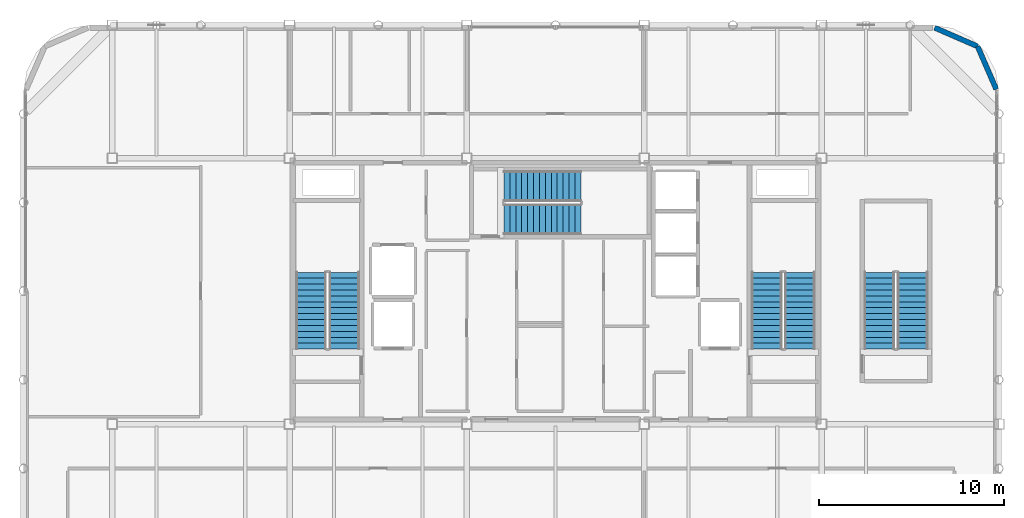
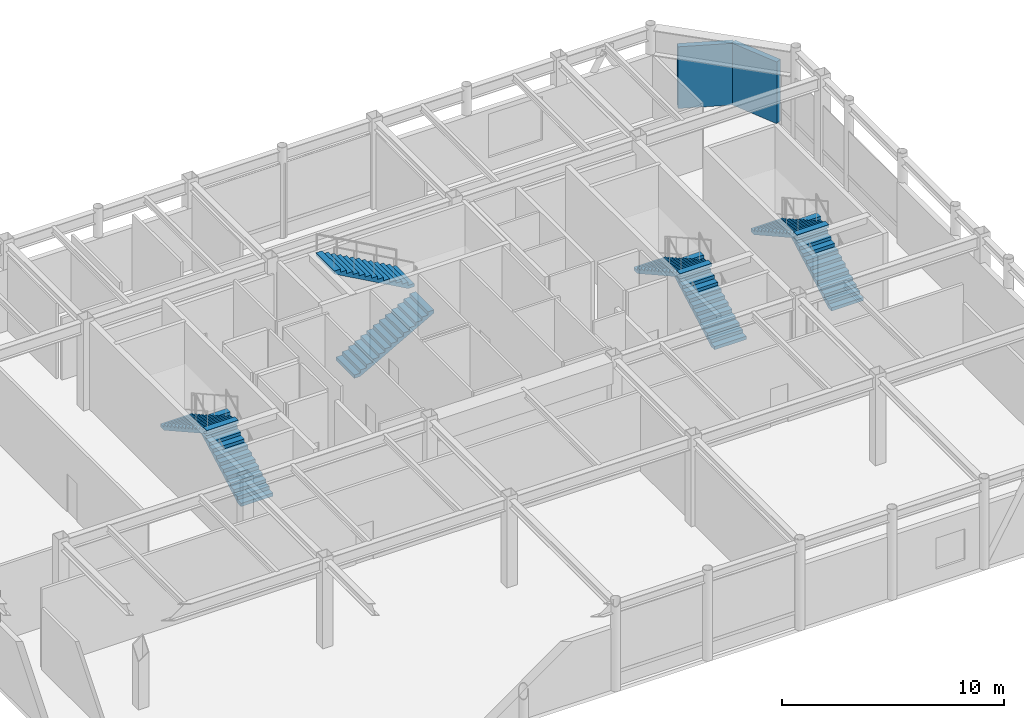
# One storey, part 19 of 21: 8 stair flights, 2 walls, 4 elements without a shape of their own.
"""IFC4 building model written with IfcOpenShell, lengths in metres."""

from ifc_helpers import new_model, si_unit, direction, frame, frame_2d, origin, place, context, subcontext, project, spatial, polyline, rectangle, outline, extrude, material, layer, layer_set, type_object, element, aggregate, save


model = new_model("IFC4")

# Units and contexts
model_context = context("Model", 3, precision=1e-05, world=origin(), true_north=direction((0.0, 1.0)))
body_context = subcontext(model_context, "Body", "Model", "MODEL_VIEW")
ifc_project = project(units=[si_unit("LENGTHUNIT", "METRE"), si_unit("AREAUNIT", "SQUARE_METRE"), si_unit("VOLUMEUNIT", "CUBIC_METRE"), si_unit("PLANEANGLEUNIT", "RADIAN"), si_unit("MASSUNIT", "GRAM", prefix="KILO")], contexts=[model_context])

# Site, building, storey
site_placement = place(None, origin())
site = spatial("IfcSite", under=ifc_project, at=site_placement, CompositionType="ELEMENT")
building_placement = place(site_placement, origin())
building = spatial("IfcBuilding", under=site, at=building_placement, Name="Kallvorn Hotel Tower", CompositionType="ELEMENT")
storey_placement = place(building_placement, frame((0.0, 0.0, 295.60009765625)))
storey = spatial("IfcBuildingStorey", under=building, at=storey_placement, Name="L73", CompositionType="ELEMENT", Elevation=295.60009765625)

# Walls
ifc_material_1 = material(Name="Precast basalt-clad insulated concrete wall C40/50", Category="masonry")
ifc_layer = layer(ifc_material_1, 0.280029296875)
ifc_layer_set = layer_set([ifc_layer], Name="WL_EXT_LOGGIA_280")
wall_type = type_object("IfcWallType", Name="WL_EXT_LOGGIA_280", PredefinedType="SOLIDWALL", material=ifc_layer_set)
for number, where, z_axis, x_axis, name in (
    (1, (23.85791015625, 10.9208984375, 0.0), (0.0, 0.0, 1.0), (-0.398747232384, 0.917060872934, 0.0), "L73 Rounded Corner Exterior Wall NE1"),
    (2, (22.8466796875, 13.24658203125, 0.0), (0.0, 0.0, 1.0), (-0.917076177656, 0.398712031894, 0.0), "L73 Rounded Corner Exterior Wall NE2"),
):
    element("IfcWall", number, at=place(storey_placement, frame(where, z_axis=z_axis, x_axis=x_axis)), inside=storey, type_object=wall_type, Name=name, PredefinedType="SOLIDWALL", context=body_context, shape_type="SweptSolid", body=[
        extrude(rectangle(XDim=2.5361328125, YDim=0.280029296875, at=frame_2d((1.26806640625, 0.0))), origin(), (0.0, 0.0, 1.0), 3.39990234375),
    ])

# Stair, stair flights
ifc_material_2 = material(Name="Precast concrete C40/50", Category="concrete")
stair_type = type_object("IfcStairType", Name="STR_CORE_DOGLEG", PredefinedType="HALF_TURN_STAIR", material=ifc_material_2)
stair_1_placement = place(storey_placement, origin())
stair_1 = element("IfcStair", 3, at=stair_1_placement, inside=storey, type_object=stair_type, Name="L73 Exit stair ST1", PredefinedType="HALF_TURN_STAIR")
ifc_material_3 = material(Name="Precast concrete C40/50", Category="concrete")
stair_flight_type = type_object("IfcStairFlightType", Name="FLT_CORE_1660", PredefinedType="STRAIGHT", material=ifc_material_3)
stair_flight_1_placement = place(storey_placement, frame((-11.429931640625, -3.139892578125, 0.0), z_axis=(0.0, 0.0, 1.0), x_axis=(0.0, 1.0, 0.0)))
stair_flight_1 = element("IfcStairFlight", 4, at=stair_flight_1_placement, type_object=stair_flight_type, Name="ST1 flight 1", NumberOfRisers=14, NumberOfTreads=13, PredefinedType="STRAIGHT", RiserHeight=0.178571429, TreadLength=0.32, context=body_context, shape_type="SweptSolid", body=[
    extrude(outline(polyline([(0.0, 0.0), (0.0, 0.178466796875), (0.320068359375, 0.178466796875), (0.320068359375, 0.357177734375), (0.639892578125, 0.357177734375), (0.639892578125, 0.53564453125), (0.9599609375, 0.53564453125), (0.9599609375, 0.71435546875), (1.280029296875, 0.71435546875), (1.280029296875, 0.892822265625), (1.60009765625, 0.892822265625), (1.60009765625, 1.071533203125), (1.919921875, 1.071533203125), (1.919921875, 1.25), (2.239990234375, 1.25), (2.239990234375, 1.428466796875), (2.56005859375, 1.428466796875), (2.56005859375, 1.607177734375), (2.8798828125, 1.607177734375), (2.8798828125, 1.78564453125), (3.199951171875, 1.78564453125), (3.199951171875, 1.96435546875), (3.52001953125, 1.96435546875), (3.52001953125, 2.142822265625), (3.840087890625, 2.142822265625), (3.840087890625, 2.321533203125), (4.159912109375, 2.321533203125), (4.159912109375, 2.5), (4.159912109375, 2.149658203125), (0.3076171875, 0.0), (0.0, 0.0)])), frame((0.0, 0.830078125, 0.0), z_axis=(0.0, -1.0, 0.0), x_axis=(1.0, 0.0, 0.0)), (0.0, 0.0, 1.0), 1.659912109375),
])
stair_flight_2_placement = place(storey_placement, frame((-13.22998046875, 1.02001953125, 2.5), z_axis=(0.0, 0.0, 1.0), x_axis=(0.0, -1.0, 0.0)))
stair_flight_2 = element("IfcStairFlight", 5, at=stair_flight_2_placement, type_object=stair_flight_type, Name="ST1 flight 2", NumberOfRisers=14, NumberOfTreads=13, PredefinedType="STRAIGHT", RiserHeight=0.178571429, TreadLength=0.32, context=body_context, shape_type="SweptSolid", body=[
    extrude(outline(polyline([(0.0, 0.0), (0.0, 0.178466796875), (0.320068359375, 0.178466796875), (0.320068359375, 0.357177734375), (0.639892578125, 0.357177734375), (0.639892578125, 0.53564453125), (0.9599609375, 0.53564453125), (0.9599609375, 0.71435546875), (1.280029296875, 0.71435546875), (1.280029296875, 0.892822265625), (1.60009765625, 0.892822265625), (1.60009765625, 1.071533203125), (1.919921875, 1.071533203125), (1.919921875, 1.25), (2.239990234375, 1.25), (2.239990234375, 1.428466796875), (2.56005859375, 1.428466796875), (2.56005859375, 1.607177734375), (2.8798828125, 1.607177734375), (2.8798828125, 1.78564453125), (3.199951171875, 1.78564453125), (3.199951171875, 1.96435546875), (3.52001953125, 1.96435546875), (3.52001953125, 2.142822265625), (3.840087890625, 2.142822265625), (3.840087890625, 2.321533203125), (4.159912109375, 2.321533203125), (4.159912109375, 2.5), (4.159912109375, 2.149658203125), (0.3076171875, 0.0), (0.0, 0.0)])), frame((0.0, 0.830078125, 0.0), z_axis=(0.0, -1.0, 0.0), x_axis=(1.0, 0.0, 0.0)), (0.0, 0.0, 1.0), 1.659912109375),
])
aggregate(stair_1, [stair_flight_1, stair_flight_2])

stair_2_placement = place(storey_placement, origin())
stair_2 = element("IfcStair", 6, at=stair_2_placement, inside=storey, type_object=stair_type, Name="L73 Exit stair ST2", PredefinedType="HALF_TURN_STAIR")
stair_flight_3_placement = place(storey_placement, frame((13.22998046875, -3.139892578125, 0.0), z_axis=(0.0, 0.0, 1.0), x_axis=(0.0, 1.0, 0.0)))
stair_flight_3 = element("IfcStairFlight", 7, at=stair_flight_3_placement, type_object=stair_flight_type, Name="ST2 flight 1", NumberOfRisers=14, NumberOfTreads=13, PredefinedType="STRAIGHT", RiserHeight=0.178571429, TreadLength=0.32, context=body_context, shape_type="SweptSolid", body=[
    extrude(outline(polyline([(0.0, 0.0), (0.0, 0.178466796875), (0.320068359375, 0.178466796875), (0.320068359375, 0.357177734375), (0.639892578125, 0.357177734375), (0.639892578125, 0.53564453125), (0.9599609375, 0.53564453125), (0.9599609375, 0.71435546875), (1.280029296875, 0.71435546875), (1.280029296875, 0.892822265625), (1.60009765625, 0.892822265625), (1.60009765625, 1.071533203125), (1.919921875, 1.071533203125), (1.919921875, 1.25), (2.239990234375, 1.25), (2.239990234375, 1.428466796875), (2.56005859375, 1.428466796875), (2.56005859375, 1.607177734375), (2.8798828125, 1.607177734375), (2.8798828125, 1.78564453125), (3.199951171875, 1.78564453125), (3.199951171875, 1.96435546875), (3.52001953125, 1.96435546875), (3.52001953125, 2.142822265625), (3.840087890625, 2.142822265625), (3.840087890625, 2.321533203125), (4.159912109375, 2.321533203125), (4.159912109375, 2.5), (4.159912109375, 2.149658203125), (0.3076171875, 0.0), (0.0, 0.0)])), frame((0.0, 0.830078125, 0.0), z_axis=(0.0, -1.0, 0.0), x_axis=(1.0, 0.0, 0.0)), (0.0, 0.0, 1.0), 1.659912109375),
])
stair_flight_4_placement = place(storey_placement, frame((11.429931640625, 1.02001953125, 2.5), z_axis=(0.0, 0.0, 1.0), x_axis=(0.0, -1.0, 0.0)))
stair_flight_4 = element("IfcStairFlight", 8, at=stair_flight_4_placement, type_object=stair_flight_type, Name="ST2 flight 2", NumberOfRisers=14, NumberOfTreads=13, PredefinedType="STRAIGHT", RiserHeight=0.178571429, TreadLength=0.32, context=body_context, shape_type="SweptSolid", body=[
    extrude(outline(polyline([(0.0, 0.0), (0.0, 0.178466796875), (0.320068359375, 0.178466796875), (0.320068359375, 0.357177734375), (0.639892578125, 0.357177734375), (0.639892578125, 0.53564453125), (0.9599609375, 0.53564453125), (0.9599609375, 0.71435546875), (1.280029296875, 0.71435546875), (1.280029296875, 0.892822265625), (1.60009765625, 0.892822265625), (1.60009765625, 1.071533203125), (1.919921875, 1.071533203125), (1.919921875, 1.25), (2.239990234375, 1.25), (2.239990234375, 1.428466796875), (2.56005859375, 1.428466796875), (2.56005859375, 1.607177734375), (2.8798828125, 1.607177734375), (2.8798828125, 1.78564453125), (3.199951171875, 1.78564453125), (3.199951171875, 1.96435546875), (3.52001953125, 1.96435546875), (3.52001953125, 2.142822265625), (3.840087890625, 2.142822265625), (3.840087890625, 2.321533203125), (4.159912109375, 2.321533203125), (4.159912109375, 2.5), (4.159912109375, 2.149658203125), (0.3076171875, 0.0), (0.0, 0.0)])), frame((0.0, 0.830078125, 0.0), z_axis=(0.0, -1.0, 0.0), x_axis=(1.0, 0.0, 0.0)), (0.0, 0.0, 1.0), 1.659912109375),
])
aggregate(stair_2, [stair_flight_3, stair_flight_4])

stair_3_placement = place(storey_placement, origin())
stair_3 = element("IfcStair", 9, at=stair_3_placement, inside=storey, type_object=stair_type, Name="L73 Exit stair ST3", PredefinedType="HALF_TURN_STAIR")
stair_flight_5_placement = place(storey_placement, frame((-2.7900390625, 3.8798828125, 0.0), z_axis=(0.0, 0.0, 1.0), x_axis=(1.0, 0.0, 0.0)))
stair_flight_5 = element("IfcStairFlight", 10, at=stair_flight_5_placement, type_object=stair_flight_type, Name="ST3 flight 1", NumberOfRisers=14, NumberOfTreads=13, PredefinedType="STRAIGHT", RiserHeight=0.178571429, TreadLength=0.32, context=body_context, shape_type="SweptSolid", body=[
    extrude(outline(polyline([(0.0, 0.0), (0.0, 0.178466796875), (0.320068359375, 0.178466796875), (0.320068359375, 0.357177734375), (0.639892578125, 0.357177734375), (0.639892578125, 0.53564453125), (0.9599609375, 0.53564453125), (0.9599609375, 0.71435546875), (1.280029296875, 0.71435546875), (1.280029296875, 0.892822265625), (1.60009765625, 0.892822265625), (1.60009765625, 1.071533203125), (1.919921875, 1.071533203125), (1.919921875, 1.25), (2.239990234375, 1.25), (2.239990234375, 1.428466796875), (2.56005859375, 1.428466796875), (2.56005859375, 1.607177734375), (2.8798828125, 1.607177734375), (2.8798828125, 1.78564453125), (3.199951171875, 1.78564453125), (3.199951171875, 1.96435546875), (3.52001953125, 1.96435546875), (3.52001953125, 2.142822265625), (3.840087890625, 2.142822265625), (3.840087890625, 2.321533203125), (4.159912109375, 2.321533203125), (4.159912109375, 2.5), (4.159912109375, 2.149658203125), (0.3076171875, 0.0), (0.0, 0.0)])), frame((0.0, 0.830078125, 0.0), z_axis=(0.0, -1.0, 0.0), x_axis=(1.0, 0.0, 0.0)), (0.0, 0.0, 1.0), 1.659912109375),
])
stair_flight_6_placement = place(storey_placement, frame((1.3701171875, 5.679931640625, 2.5), z_axis=(0.0, 0.0, 1.0), x_axis=(-1.0, 0.0, 0.0)))
stair_flight_6 = element("IfcStairFlight", 11, at=stair_flight_6_placement, type_object=stair_flight_type, Name="ST3 flight 2", NumberOfRisers=14, NumberOfTreads=13, PredefinedType="STRAIGHT", RiserHeight=0.178571429, TreadLength=0.32, context=body_context, shape_type="SweptSolid", body=[
    extrude(outline(polyline([(0.0, 0.0), (0.0, 0.178466796875), (0.320068359375, 0.178466796875), (0.320068359375, 0.357177734375), (0.639892578125, 0.357177734375), (0.639892578125, 0.53564453125), (0.9599609375, 0.53564453125), (0.9599609375, 0.71435546875), (1.280029296875, 0.71435546875), (1.280029296875, 0.892822265625), (1.60009765625, 0.892822265625), (1.60009765625, 1.071533203125), (1.919921875, 1.071533203125), (1.919921875, 1.25), (2.239990234375, 1.25), (2.239990234375, 1.428466796875), (2.56005859375, 1.428466796875), (2.56005859375, 1.607177734375), (2.8798828125, 1.607177734375), (2.8798828125, 1.78564453125), (3.199951171875, 1.78564453125), (3.199951171875, 1.96435546875), (3.52001953125, 1.96435546875), (3.52001953125, 2.142822265625), (3.840087890625, 2.142822265625), (3.840087890625, 2.321533203125), (4.159912109375, 2.321533203125), (4.159912109375, 2.5), (4.159912109375, 2.149658203125), (0.3076171875, 0.0), (0.0, 0.0)])), frame((0.0, 0.830078125, 0.0), z_axis=(0.0, -1.0, 0.0), x_axis=(1.0, 0.0, 0.0)), (0.0, 0.0, 1.0), 1.659912109375),
])
aggregate(stair_3, [stair_flight_5, stair_flight_6])

stair_4_placement = place(storey_placement, origin())
stair_4 = element("IfcStair", 12, at=stair_4_placement, inside=storey, type_object=stair_type, Name="L73 Exit stair ST4", PredefinedType="HALF_TURN_STAIR")
stair_flight_7_placement = place(storey_placement, frame((19.330078125, -3.139892578125, 0.0), z_axis=(0.0, 0.0, 1.0), x_axis=(0.0, 1.0, 0.0)))
stair_flight_7 = element("IfcStairFlight", 13, at=stair_flight_7_placement, type_object=stair_flight_type, Name="ST4 flight 1", NumberOfRisers=14, NumberOfTreads=13, PredefinedType="STRAIGHT", RiserHeight=0.178571429, TreadLength=0.32, context=body_context, shape_type="SweptSolid", body=[
    extrude(outline(polyline([(0.0, 0.0), (0.0, 0.178466796875), (0.320068359375, 0.178466796875), (0.320068359375, 0.357177734375), (0.639892578125, 0.357177734375), (0.639892578125, 0.53564453125), (0.9599609375, 0.53564453125), (0.9599609375, 0.71435546875), (1.280029296875, 0.71435546875), (1.280029296875, 0.892822265625), (1.60009765625, 0.892822265625), (1.60009765625, 1.071533203125), (1.919921875, 1.071533203125), (1.919921875, 1.25), (2.239990234375, 1.25), (2.239990234375, 1.428466796875), (2.56005859375, 1.428466796875), (2.56005859375, 1.607177734375), (2.8798828125, 1.607177734375), (2.8798828125, 1.78564453125), (3.199951171875, 1.78564453125), (3.199951171875, 1.96435546875), (3.52001953125, 1.96435546875), (3.52001953125, 2.142822265625), (3.840087890625, 2.142822265625), (3.840087890625, 2.321533203125), (4.159912109375, 2.321533203125), (4.159912109375, 2.5), (4.159912109375, 2.149658203125), (0.3076171875, 0.0), (0.0, 0.0)])), frame((0.0, 0.830078125, 0.0), z_axis=(0.0, -1.0, 0.0), x_axis=(1.0, 0.0, 0.0)), (0.0, 0.0, 1.0), 1.659912109375),
])
stair_flight_8_placement = place(storey_placement, frame((17.530029296875, 1.02001953125, 2.5), z_axis=(0.0, 0.0, 1.0), x_axis=(0.0, -1.0, 0.0)))
stair_flight_8 = element("IfcStairFlight", 14, at=stair_flight_8_placement, type_object=stair_flight_type, Name="ST4 flight 2", NumberOfRisers=14, NumberOfTreads=13, PredefinedType="STRAIGHT", RiserHeight=0.178571429, TreadLength=0.32, context=body_context, shape_type="SweptSolid", body=[
    extrude(outline(polyline([(0.0, 0.0), (0.0, 0.178466796875), (0.320068359375, 0.178466796875), (0.320068359375, 0.357177734375), (0.639892578125, 0.357177734375), (0.639892578125, 0.53564453125), (0.9599609375, 0.53564453125), (0.9599609375, 0.71435546875), (1.280029296875, 0.71435546875), (1.280029296875, 0.892822265625), (1.60009765625, 0.892822265625), (1.60009765625, 1.071533203125), (1.919921875, 1.071533203125), (1.919921875, 1.25), (2.239990234375, 1.25), (2.239990234375, 1.428466796875), (2.56005859375, 1.428466796875), (2.56005859375, 1.607177734375), (2.8798828125, 1.607177734375), (2.8798828125, 1.78564453125), (3.199951171875, 1.78564453125), (3.199951171875, 1.96435546875), (3.52001953125, 1.96435546875), (3.52001953125, 2.142822265625), (3.840087890625, 2.142822265625), (3.840087890625, 2.321533203125), (4.159912109375, 2.321533203125), (4.159912109375, 2.5), (4.159912109375, 2.149658203125), (0.3076171875, 0.0), (0.0, 0.0)])), frame((0.0, 0.830078125, 0.0), z_axis=(0.0, -1.0, 0.0), x_axis=(1.0, 0.0, 0.0)), (0.0, 0.0, 1.0), 1.659912109375),
])
aggregate(stair_4, [stair_flight_7, stair_flight_8])

save(model, "model.ifc")
